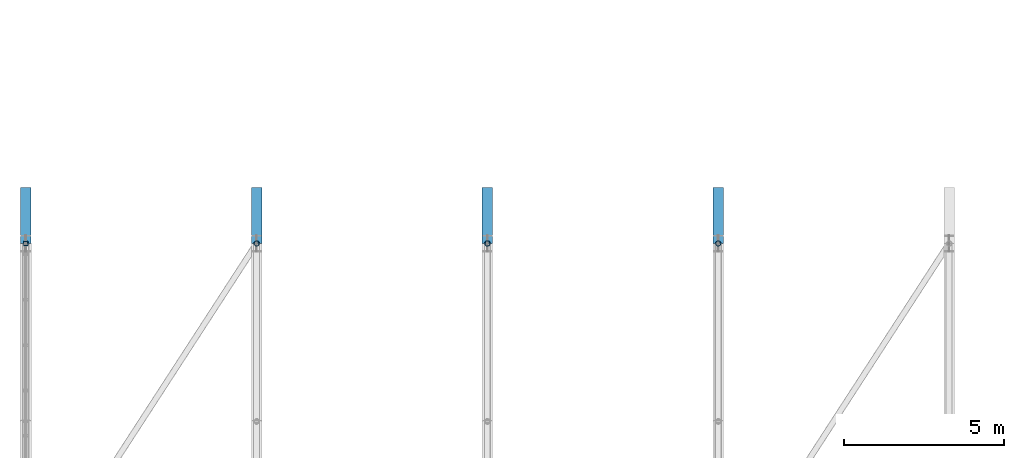
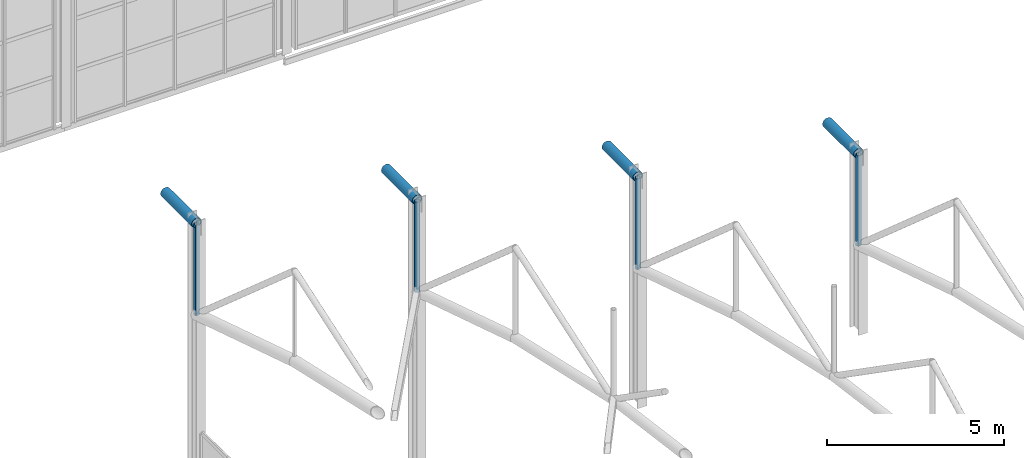
# One storey, part 56 of 153: 4 beams, 4 members.
"""IFC4 building model written with IfcOpenShell, lengths in metres."""

from ifc_helpers import new_model, si_unit, derived_unit, direction, frame, origin, origin_2d, place, context, subcontext, project, spatial, hollow_rectangle, hollow_circle, extrude, material, material_profile, profile_set, type_object, element, save


model = new_model("IFC4")

# Units and contexts
model_context = context("Model", 3, precision=1e-05, world=origin(), true_north=direction((0.0, 1.0)))
body_context = subcontext(model_context, "Body", "Model", "MODEL_VIEW")
ifc_project = project(units=[si_unit("LENGTHUNIT", "METRE"), si_unit("AREAUNIT", "SQUARE_METRE"), si_unit("VOLUMEUNIT", "CUBIC_METRE"), si_unit("PLANEANGLEUNIT", "RADIAN"), si_unit("MASSUNIT", "GRAM", prefix="KILO"), derived_unit("THERMALTRANSMITTANCEUNIT", [(si_unit("POWERUNIT", "WATT"), 1), (si_unit("LENGTHUNIT", "METRE"), -2), (si_unit("THERMODYNAMICTEMPERATUREUNIT", "KELVIN"), -1)])], contexts=[model_context])

# Site, building, storey
site_placement = place(None, origin())
site = spatial("IfcSite", under=ifc_project, at=site_placement, CompositionType="ELEMENT")
building_placement = place(site_placement, origin())
building = spatial("IfcBuilding", under=site, at=building_placement, Name="Keldorne Ridge Multi-Sports Centre", CompositionType="ELEMENT")
storey_placement = place(building_placement, frame((0.0, 0.0, 9.60009765625)))
storey = spatial("IfcBuildingStorey", under=building, at=storey_placement, Name="L02", CompositionType="ELEMENT", Elevation=9.60009765625)

# Beams
ifc_material = material(Name="Steel S355", Category="steel")
ifc_material_profile_1 = material_profile(ifc_material, hollow_circle(Radius=0.161865234375, WallThickness=0.01611328125, at=origin_2d()), Name="CHS 323.9x16")
ifc_profile_set_1 = profile_set([ifc_material_profile_1], Name="Steel S355")
beam_type = type_object("IfcBeamType", Name="BM-B-19", PredefinedType="BEAM", material=ifc_profile_set_1)
for number, where, z_axis, x_axis, name in (
    (1, (6.0, 54.0, 11.25), (0.0, 1.0, 0.0), (-1.0, 0.0, 0.0), "North eave bracket rafter 01"),
    (2, (13.199951171875, 54.0, 9.52978515625), (0.0, 1.0, 0.0), (-1.0, 0.0, 0.0), "North eave bracket rafter 02"),
    (3, (20.39990234375, 54.0, 7.809814453125), (0.0, 1.0, 0.0), (-1.0, 0.0, 0.0), "North eave bracket rafter 03"),
    (4, (27.60009765625, 54.0, 6.08984375), (0.0, 1.0, 0.0), (-1.0, 0.0, 0.0), "North eave bracket rafter 04"),
):
    element("IfcBeam", number, at=place(storey_placement, frame(where, z_axis=z_axis, x_axis=x_axis)), inside=storey, type_object=beam_type, Name=name, PredefinedType="BEAM", context=body_context, shape_type="SweptSolid", body=[
        extrude(hollow_circle(Radius=0.161865234375, WallThickness=0.01611328125, at=origin_2d()), origin(), (0.0, 0.0, 1.0), 1.75),
    ])

# Members
ifc_material_profile_2 = material_profile(ifc_material, hollow_circle(Radius=0.084228515625, WallThickness=0.010009765625, at=origin_2d()), Name="CHS 168.3x10")
ifc_profile_set_2 = profile_set([ifc_material_profile_2], Name="Steel S355")
member_type_1 = type_object("IfcMemberType", Name="MEM-TV-01", PredefinedType="STRUT", material=ifc_profile_set_2)
member_1_placement = place(storey_placement, frame((13.199951171875, 54.0, 6.3798828125), z_axis=(0.0, 0.0, 1.0), x_axis=(1.0, 0.0, 0.0)))
element("IfcMember", 5, at=member_1_placement, inside=storey, type_object=member_type_1, Name="Main Hall ROOF TRUSS AT-02 vertical 9", PredefinedType="STRUT", context=body_context, shape_type="SweptSolid", body=[
    extrude(hollow_circle(Radius=0.084228515625, WallThickness=0.010009765625, at=origin_2d()), origin(), (0.0, 0.0, 1.0), 3.1201171875),
])
for number, where, z_axis, x_axis, name in (
    (6, (20.39990234375, 54.0, 4.659912109375), (0.0, 0.0, 1.0), (1.0, 0.0, 0.0), "Main Hall ROOF TRUSS AT-03 vertical 9"),
    (7, (27.60009765625, 54.0, 2.93994140625), (0.0, 0.0, 1.0), (1.0, 0.0, 0.0), "Main Hall ROOF TRUSS AT-04 vertical 9"),
):
    element("IfcMember", number, at=place(storey_placement, frame(where, z_axis=z_axis, x_axis=x_axis)), inside=storey, type_object=member_type_1, Name=name, PredefinedType="STRUT", context=body_context, shape_type="SweptSolid", body=[
        extrude(hollow_circle(Radius=0.084228515625, WallThickness=0.010009765625, at=origin_2d()), origin(), (0.0, 0.0, 1.0), 3.119873046875),
    ])
ifc_material_profile_3 = material_profile(ifc_material, hollow_rectangle(XDim=0.139892578125, YDim=0.139892578125, WallThickness=0.008056640625, InnerFilletRadius=0.008056640625, OuterFilletRadius=0.01611328125, at=origin_2d()), Name="SHS 140x140x8")
ifc_profile_set_3 = profile_set([ifc_material_profile_3], Name="Steel S355")
member_type_2 = type_object("IfcMemberType", Name="MEM-TV-04", PredefinedType="STRUT", material=ifc_profile_set_3)
member_2_placement = place(storey_placement, frame((6.0, 54.0, 8.099853515625), z_axis=(0.0, 0.0, 1.0), x_axis=(1.0, 0.0, 0.0)))
element("IfcMember", 8, at=member_2_placement, inside=storey, type_object=member_type_2, Name="Main Hall ROOF TRUSS AT-01 vertical 9", PredefinedType="STRUT", context=body_context, shape_type="SweptSolid", body=[
    extrude(hollow_rectangle(XDim=0.139892578125, YDim=0.139892578125, WallThickness=0.008056640625, InnerFilletRadius=0.008056640625, OuterFilletRadius=0.01611328125, at=origin_2d()), origin(), (0.0, 0.0, 1.0), 3.1201171875),
])

save(model, "model.ifc")
